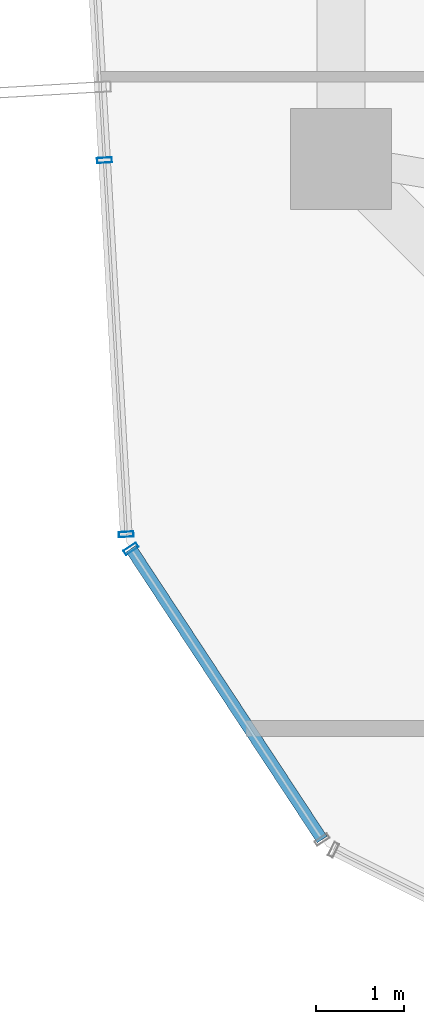
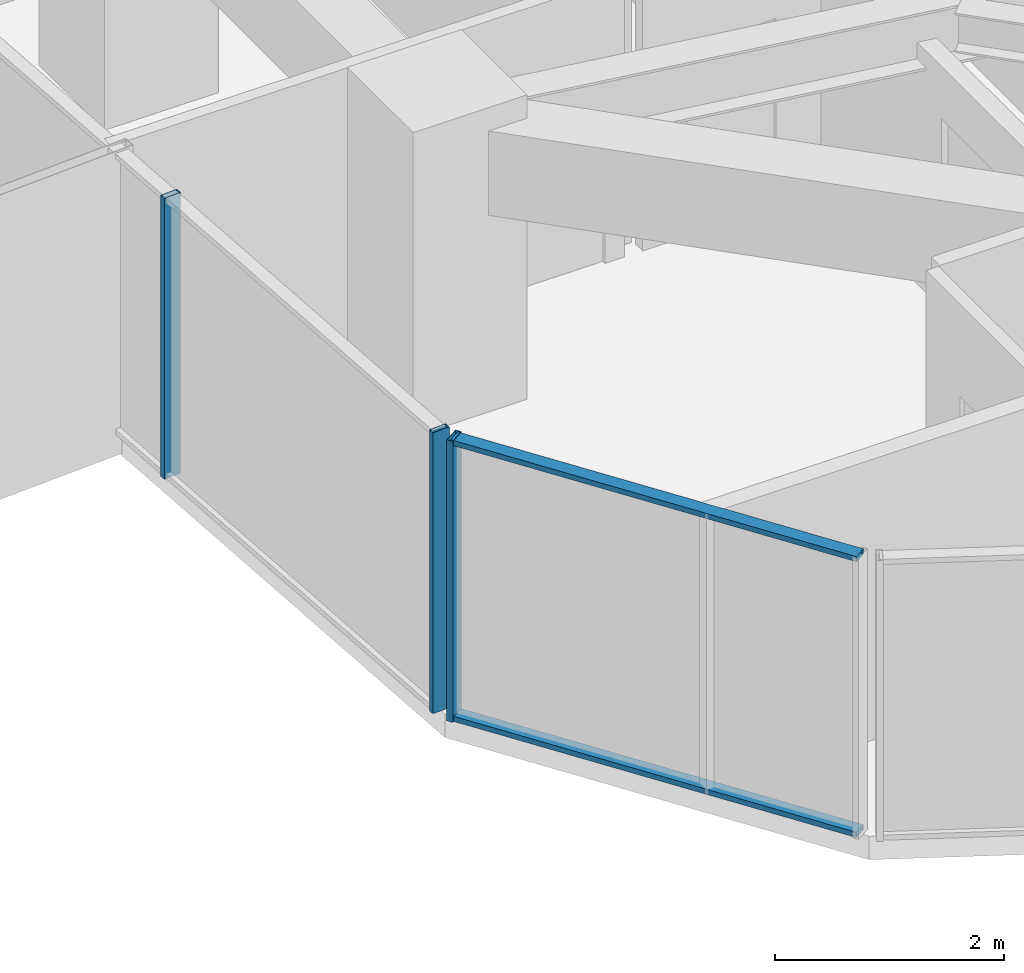
# One storey, part 5 of 33: 5 members, 2 elements without a shape of their own.
"""IFC4 building model written with IfcOpenShell, lengths in metres."""

from ifc_helpers import new_model, si_unit, direction, frame, origin, origin_2d, place, context, subcontext, project, spatial, hollow_rectangle, extrude, source, transform, mapped, material, layer, layer_set, material_profile, profile_set, type_object, element, aggregate, save


model = new_model("IFC4")

# Units and contexts
model_context = context("Model", 3, precision=1e-05, world=origin(), true_north=direction((0.0, 1.0)))
body_context = subcontext(model_context, "Body", "Model", "MODEL_VIEW")
ifc_project = project(units=[si_unit("LENGTHUNIT", "METRE"), si_unit("AREAUNIT", "SQUARE_METRE"), si_unit("VOLUMEUNIT", "CUBIC_METRE"), si_unit("PLANEANGLEUNIT", "RADIAN"), si_unit("MASSUNIT", "GRAM", prefix="KILO")], contexts=[model_context])

# Site, building, storey
site_placement = place(None, origin())
site = spatial("IfcSite", under=ifc_project, at=site_placement, CompositionType="ELEMENT")
building_placement = place(site_placement, origin())
building = spatial("IfcBuilding", under=site, at=building_placement, Name="Veraguas Prism Commons", CompositionType="ELEMENT")
storey_placement = place(building_placement, frame((0.0, 0.0, 139.25)))
storey = spatial("IfcBuildingStorey", under=building, at=storey_placement, Name="L39", CompositionType="ELEMENT", Elevation=139.25)

# Curtain wall, members
ifc_material = material(Name="Anodised aluminium EN AW-6063 T6", Category="aluminium")
ifc_layer = layer(ifc_material, 0.169921875, Name="Unitised Flush Curtain Wall Zone 2", Category="aluminium")
ifc_layer_set = layer_set([ifc_layer], Name="Anodised aluminium EN AW-6063 T6")
curtain_wall_type = type_object("IfcCurtainWallType", Name="Unitised Flush Curtain Wall Zone 2", PredefinedType="NOTDEFINED", material=ifc_layer_set)
curtain_wall_1_placement = place(storey_placement, origin())
curtain_wall_1 = element("IfcCurtainWall", 1, at=curtain_wall_1_placement, inside=storey, type_object=curtain_wall_type, Name="Tower Facade Curtain Wall L39-F3", PredefinedType="NOTDEFINED")
ifc_material_profile_1 = material_profile(ifc_material, hollow_rectangle(XDim=0.06005859375, YDim=0.169921875, WallThickness=0.00390625, at=origin_2d()), Name="AL60X170X4")
ifc_profile_set_1 = profile_set([ifc_material_profile_1], Name="Anodised aluminium EN AW-6063 T6")
member_type_1 = type_object("IfcMemberType", Name="Curtain Wall Mullion Lower AL 60x170x4", PredefinedType="MULLION", material=ifc_profile_set_1)
shared_shape_1 = source(origin(), body_context, "Body", "SweptSolid", [
    extrude(hollow_rectangle(XDim=0.06005859375, YDim=0.169921875, WallThickness=0.00390625, at=origin_2d()), origin(), (0.0, 0.0, 1.0), 3.0),
])
member_1_placement = place(storey_placement, frame((5.09912109375, 18.587646484375, 0.0), z_axis=(0.0, 0.0, 1.0), x_axis=(0.05790728328, -0.998321965371, 0.0)))
member_1 = element("IfcMember", 2, at=member_1_placement, type_object=member_type_1, Name="CW-Z2 Mullion 4", PredefinedType="MULLION", context=body_context, shape_type="MappedRepresentation", body=[
    mapped(shared_shape_1, transform((0.0, 0.0, 0.0), scale=1.0)),
])
member_2_placement = place(storey_placement, frame((5.346923828125, 14.31640625, 0.0), z_axis=(0.0, 0.0, 1.0), x_axis=(0.05790728328, -0.998321965371, 0.0)))
member_2 = element("IfcMember", 3, at=member_2_placement, type_object=member_type_1, Name="CW-Z2 Mullion 5", PredefinedType="MULLION", context=body_context, shape_type="MappedRepresentation", body=[
    mapped(shared_shape_1, transform((0.0, 0.0, 0.0), scale=1.0)),
])
aggregate(curtain_wall_1, [member_1, member_2])

curtain_wall_2_placement = place(storey_placement, origin())
curtain_wall_2 = element("IfcCurtainWall", 4, at=curtain_wall_2_placement, inside=storey, type_object=curtain_wall_type, Name="Chamfer Curtain Wall L39-C4", PredefinedType="NOTDEFINED")
member_3_placement = place(storey_placement, frame((5.401611328125, 14.1513671875, 0.0), z_axis=(0.0, 0.0, 1.0), x_axis=(0.549298493581, -0.835626211263, 0.0)))
member_3 = element("IfcMember", 5, at=member_3_placement, type_object=member_type_1, Name="CW-Z2 Mullion 1", PredefinedType="MULLION", context=body_context, shape_type="MappedRepresentation", body=[
    mapped(shared_shape_1, transform((0.0, 0.0, 0.0), scale=1.0)),
])
ifc_material_profile_2 = material_profile(ifc_material, hollow_rectangle(XDim=0.054931640625, YDim=0.135009765625, WallThickness=0.0029296875, at=origin_2d()), Name="AL55X135X3")
ifc_profile_set_2 = profile_set([ifc_material_profile_2], Name="Anodised aluminium EN AW-6063 T6")
member_type_2 = type_object("IfcMemberType", Name="Curtain Wall Transom Standard AL 55x135x3", PredefinedType="USERDEFINED", material=ifc_profile_set_2)
shared_shape_2 = source(origin(), body_context, "Body", "SweptSolid", [
    extrude(hollow_rectangle(XDim=0.054931640625, YDim=0.135009765625, WallThickness=0.0029296875, at=origin_2d()), origin(), (0.0, 0.0, 1.0), 3.97314453125),
])
member_4_placement = place(storey_placement, frame((5.401611328125, 14.1513671875, 0.027587890625), z_axis=(0.549328690563, -0.83560636051, 0.0), x_axis=(0.0, 0.0, 1.0)))
member_4 = element("IfcMember", 6, at=member_4_placement, type_object=member_type_2, Name="CW-Z2 Transom 1", ObjectType="TRANSOM", PredefinedType="USERDEFINED", context=body_context, shape_type="MappedRepresentation", body=[
    mapped(shared_shape_2, transform((0.0, 0.0, 0.0), scale=1.0)),
])
member_5_placement = place(storey_placement, frame((5.401611328125, 14.1513671875, 2.972412109375), z_axis=(0.549328690563, -0.83560636051, 0.0), x_axis=(0.0, 0.0, 1.0)))
member_5 = element("IfcMember", 7, at=member_5_placement, type_object=member_type_2, Name="CW-Z2 Transom 2", ObjectType="TRANSOM", PredefinedType="USERDEFINED", context=body_context, shape_type="MappedRepresentation", body=[
    mapped(shared_shape_2, transform((0.0, 0.0, 0.0), scale=1.0)),
])
aggregate(curtain_wall_2, [member_3, member_4, member_5])

save(model, "model.ifc")
